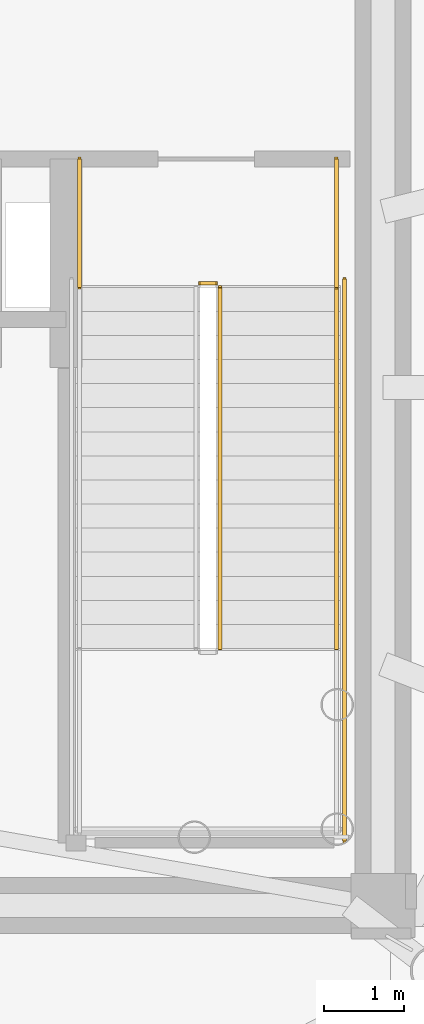
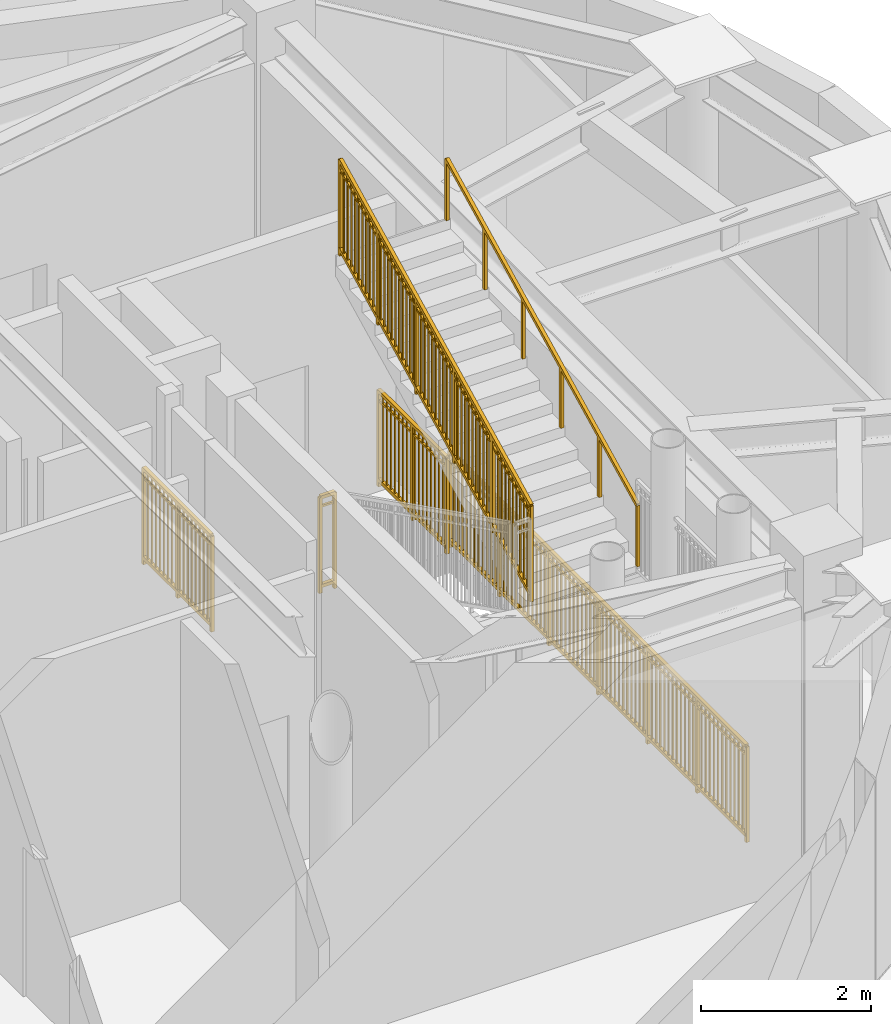
# One storey, part 11 of 12: 6 railings.
"""IFC4 building model written with IfcOpenShell, lengths in metres."""

from ifc_helpers import new_model, si_unit, direction, frame, origin, origin_2d, place, context, subcontext, project, spatial, rectangle, extrude, source, transform, mapped, material, type_object, element, save


model = new_model("IFC4")

# Units and contexts
model_context = context("Model", 3, precision=1e-05, world=origin(), true_north=direction((0.0, 1.0)))
body_context = subcontext(model_context, "Body", "Model", "MODEL_VIEW")
ifc_project = project(units=[si_unit("LENGTHUNIT", "METRE"), si_unit("AREAUNIT", "SQUARE_METRE"), si_unit("VOLUMEUNIT", "CUBIC_METRE"), si_unit("PLANEANGLEUNIT", "RADIAN"), si_unit("MASSUNIT", "GRAM", prefix="KILO")], contexts=[model_context])

# Site, building, storey
site_placement = place(None, origin())
site = spatial("IfcSite", under=ifc_project, at=site_placement, CompositionType="ELEMENT")
building_placement = place(site_placement, origin())
building = spatial("IfcBuilding", under=site, at=building_placement, Name="Linh Dai School and Residence Tower", CompositionType="ELEMENT")
storey_placement = place(building_placement, frame((0.0, 0.0, 368.39990234375)))
storey = spatial("IfcBuildingStorey", under=building, at=storey_placement, Name="L91", CompositionType="ELEMENT", Elevation=368.39990234375)

# Railings
ifc_material_1 = material(Name="Structural Steel S355JR", Category="steel")
railing_type_1 = type_object("IfcRailingType", Name="RL-ST-GUARD-1400", PredefinedType="GUARDRAIL", material=ifc_material_1)
shared_shape_1 = source(origin(), body_context, "Body", "SweptSolid", [
    extrude(rectangle(XDim=0.048095703125, YDim=0.048095703125, at=origin_2d()), frame((0.0, 0.0, 1.3759765625), z_axis=(0.0, 0.894427191, 0.4472135955), x_axis=(-1.0, 0.0, 0.0)), (0.0, 0.0, 1.0), 5.03125),
    extrude(rectangle(XDim=0.048095703125, YDim=0.048095703125, at=origin_2d()), frame((0.0, 0.0, 0.10009765625), z_axis=(0.0, 0.894427191, 0.4472135955), x_axis=(-1.0, 0.0, 0.0)), (0.0, 0.0, 1.0), 5.03125),
    extrude(rectangle(XDim=0.030029296875, YDim=0.030029296875, at=origin_2d()), frame((0.0, 0.0, 1.239990234375), z_axis=(0.0, 0.894427191, 0.4472135955), x_axis=(-1.0, 0.0, 0.0)), (0.0, 0.0, 1.0), 5.03125),
    extrude(rectangle(XDim=0.02001953125, YDim=0.02001953125, at=origin_2d()), frame((0.0, 0.08642578125, 0.143310546875)), (0.0, 0.0, 1.0), 1.251708984375),
    extrude(rectangle(XDim=0.02001953125, YDim=0.02001953125, at=origin_2d()), frame((0.0, 0.173095703125, 0.1865234375)), (0.0, 0.0, 1.0), 1.251708984375),
    extrude(rectangle(XDim=0.02001953125, YDim=0.02001953125, at=origin_2d()), frame((0.0, 0.259521484375, 0.22998046875)), (0.0, 0.0, 1.0), 1.251708984375),
    extrude(rectangle(XDim=0.02001953125, YDim=0.02001953125, at=origin_2d()), frame((0.0, 0.34619140625, 0.273193359375)), (0.0, 0.0, 1.0), 1.251708984375),
    extrude(rectangle(XDim=0.02001953125, YDim=0.02001953125, at=origin_2d()), frame((0.0, 0.4326171875, 0.31640625)), (0.0, 0.0, 1.0), 1.251708984375),
    extrude(rectangle(XDim=0.02001953125, YDim=0.02001953125, at=origin_2d()), frame((0.0, 0.519287109375, 0.359619140625)), (0.0, 0.0, 1.0), 1.251708984375),
    extrude(rectangle(XDim=0.02001953125, YDim=0.02001953125, at=origin_2d()), frame((0.0, 0.605712890625, 0.403076171875)), (0.0, 0.0, 1.0), 1.251708984375),
    extrude(rectangle(XDim=0.02001953125, YDim=0.02001953125, at=origin_2d()), frame((0.0, 0.6923828125, 0.4462890625)), (0.0, 0.0, 1.0), 1.251708984375),
    extrude(rectangle(XDim=0.02001953125, YDim=0.02001953125, at=origin_2d()), frame((0.0, 0.77880859375, 0.489501953125)), (0.0, 0.0, 1.0), 1.251708984375),
    extrude(rectangle(XDim=0.02001953125, YDim=0.02001953125, at=origin_2d()), frame((0.0, 0.951904296875, 0.576171875)), (0.0, 0.0, 1.0), 1.251708984375),
    extrude(rectangle(XDim=0.02001953125, YDim=0.02001953125, at=origin_2d()), frame((0.0, 1.03857421875, 0.619384765625)), (0.0, 0.0, 1.0), 1.251708984375),
    extrude(rectangle(XDim=0.02001953125, YDim=0.02001953125, at=origin_2d()), frame((0.0, 1.125, 0.66259765625)), (0.0, 0.0, 1.0), 1.251708984375),
    extrude(rectangle(XDim=0.02001953125, YDim=0.02001953125, at=origin_2d()), frame((0.0, 1.21142578125, 0.705810546875)), (0.0, 0.0, 1.0), 1.251708984375),
    extrude(rectangle(XDim=0.02001953125, YDim=0.02001953125, at=origin_2d()), frame((0.0, 1.298095703125, 0.7490234375)), (0.0, 0.0, 1.0), 1.251708984375),
    extrude(rectangle(XDim=0.02001953125, YDim=0.02001953125, at=origin_2d()), frame((0.0, 1.384521484375, 0.79248046875)), (0.0, 0.0, 1.0), 1.251708984375),
    extrude(rectangle(XDim=0.02001953125, YDim=0.02001953125, at=origin_2d()), frame((0.0, 1.47119140625, 0.835693359375)), (0.0, 0.0, 1.0), 1.251708984375),
    extrude(rectangle(XDim=0.02001953125, YDim=0.02001953125, at=origin_2d()), frame((0.0, 1.5576171875, 0.87890625)), (0.0, 0.0, 1.0), 1.251708984375),
    extrude(rectangle(XDim=0.02001953125, YDim=0.02001953125, at=origin_2d()), frame((0.0, 1.644287109375, 0.922119140625)), (0.0, 0.0, 1.0), 1.251708984375),
    extrude(rectangle(XDim=0.02001953125, YDim=0.02001953125, at=origin_2d()), frame((0.0, 1.730712890625, 0.965576171875)), (0.0, 0.0, 1.0), 1.251708984375),
    extrude(rectangle(XDim=0.02001953125, YDim=0.02001953125, at=origin_2d()), frame((0.0, 1.90380859375, 1.052001953125)), (0.0, 0.0, 1.0), 1.251708984375),
    extrude(rectangle(XDim=0.02001953125, YDim=0.02001953125, at=origin_2d()), frame((0.0, 1.990478515625, 1.09521484375)), (0.0, 0.0, 1.0), 1.251708984375),
    extrude(rectangle(XDim=0.02001953125, YDim=0.02001953125, at=origin_2d()), frame((0.0, 2.076904296875, 1.138671875)), (0.0, 0.0, 1.0), 1.251708984375),
    extrude(rectangle(XDim=0.02001953125, YDim=0.02001953125, at=origin_2d()), frame((0.0, 2.16357421875, 1.181884765625)), (0.0, 0.0, 1.0), 1.251708984375),
    extrude(rectangle(XDim=0.02001953125, YDim=0.02001953125, at=origin_2d()), frame((0.0, 2.25, 1.22509765625)), (0.0, 0.0, 1.0), 1.251708984375),
    extrude(rectangle(XDim=0.02001953125, YDim=0.02001953125, at=origin_2d()), frame((0.0, 2.33642578125, 1.268310546875)), (0.0, 0.0, 1.0), 1.251708984375),
    extrude(rectangle(XDim=0.02001953125, YDim=0.02001953125, at=origin_2d()), frame((0.0, 2.423095703125, 1.3115234375)), (0.0, 0.0, 1.0), 1.251708984375),
    extrude(rectangle(XDim=0.02001953125, YDim=0.02001953125, at=origin_2d()), frame((0.0, 2.509521484375, 1.35498046875)), (0.0, 0.0, 1.0), 1.251708984375),
    extrude(rectangle(XDim=0.02001953125, YDim=0.02001953125, at=origin_2d()), frame((0.0, 2.59619140625, 1.398193359375)), (0.0, 0.0, 1.0), 1.251708984375),
    extrude(rectangle(XDim=0.02001953125, YDim=0.02001953125, at=origin_2d()), frame((0.0, 2.769287109375, 1.484619140625)), (0.0, 0.0, 1.0), 1.251708984375),
    extrude(rectangle(XDim=0.02001953125, YDim=0.02001953125, at=origin_2d()), frame((0.0, 2.855712890625, 1.528076171875)), (0.0, 0.0, 1.0), 1.251708984375),
    extrude(rectangle(XDim=0.02001953125, YDim=0.02001953125, at=origin_2d()), frame((0.0, 2.9423828125, 1.5712890625)), (0.0, 0.0, 1.0), 1.251708984375),
    extrude(rectangle(XDim=0.02001953125, YDim=0.02001953125, at=origin_2d()), frame((0.0, 3.02880859375, 1.614501953125)), (0.0, 0.0, 1.0), 1.251708984375),
    extrude(rectangle(XDim=0.02001953125, YDim=0.02001953125, at=origin_2d()), frame((0.0, 3.115478515625, 1.65771484375)), (0.0, 0.0, 1.0), 1.251708984375),
    extrude(rectangle(XDim=0.02001953125, YDim=0.02001953125, at=origin_2d()), frame((0.0, 3.201904296875, 1.701171875)), (0.0, 0.0, 1.0), 1.251708984375),
    extrude(rectangle(XDim=0.02001953125, YDim=0.02001953125, at=origin_2d()), frame((0.0, 3.28857421875, 1.744384765625)), (0.0, 0.0, 1.0), 1.251708984375),
    extrude(rectangle(XDim=0.02001953125, YDim=0.02001953125, at=origin_2d()), frame((0.0, 3.375, 1.78759765625)), (0.0, 0.0, 1.0), 1.251708984375),
    extrude(rectangle(XDim=0.02001953125, YDim=0.02001953125, at=origin_2d()), frame((0.0, 3.46142578125, 1.830810546875)), (0.0, 0.0, 1.0), 1.251708984375),
    extrude(rectangle(XDim=0.02001953125, YDim=0.02001953125, at=origin_2d()), frame((0.0, 3.548095703125, 1.8740234375)), (0.0, 0.0, 1.0), 1.251708984375),
    extrude(rectangle(XDim=0.02001953125, YDim=0.02001953125, at=origin_2d()), frame((0.0, 3.72119140625, 1.960693359375)), (0.0, 0.0, 1.0), 1.251708984375),
    extrude(rectangle(XDim=0.02001953125, YDim=0.02001953125, at=origin_2d()), frame((0.0, 3.8076171875, 2.00390625)), (0.0, 0.0, 1.0), 1.251708984375),
    extrude(rectangle(XDim=0.02001953125, YDim=0.02001953125, at=origin_2d()), frame((0.0, 3.894287109375, 2.047119140625)), (0.0, 0.0, 1.0), 1.251708984375),
    extrude(rectangle(XDim=0.02001953125, YDim=0.02001953125, at=origin_2d()), frame((0.0, 3.980712890625, 2.090576171875)), (0.0, 0.0, 1.0), 1.251708984375),
    extrude(rectangle(XDim=0.02001953125, YDim=0.02001953125, at=origin_2d()), frame((0.0, 4.0673828125, 2.1337890625)), (0.0, 0.0, 1.0), 1.251708984375),
    extrude(rectangle(XDim=0.02001953125, YDim=0.02001953125, at=origin_2d()), frame((0.0, 4.15380859375, 2.177001953125)), (0.0, 0.0, 1.0), 1.251708984375),
    extrude(rectangle(XDim=0.02001953125, YDim=0.02001953125, at=origin_2d()), frame((0.0, 4.240478515625, 2.22021484375)), (0.0, 0.0, 1.0), 1.251708984375),
    extrude(rectangle(XDim=0.02001953125, YDim=0.02001953125, at=origin_2d()), frame((0.0, 4.326904296875, 2.263671875)), (0.0, 0.0, 1.0), 1.251708984375),
    extrude(rectangle(XDim=0.02001953125, YDim=0.02001953125, at=origin_2d()), frame((0.0, 4.41357421875, 2.306884765625)), (0.0, 0.0, 1.0), 1.251708984375),
    extrude(rectangle(XDim=0.0419921875, YDim=0.0419921875, at=origin_2d()), origin(), (0.0, 0.0, 1.0), 1.3759765625),
    extrude(rectangle(XDim=0.0419921875, YDim=0.0419921875, at=origin_2d()), frame((0.0, 0.89990234375, 0.449951171875)), (0.0, 0.0, 1.0), 1.3759765625),
    extrude(rectangle(XDim=0.0419921875, YDim=0.0419921875, at=origin_2d()), frame((0.0, 1.800048828125, 0.89990234375)), (0.0, 0.0, 1.0), 1.3759765625),
    extrude(rectangle(XDim=0.0419921875, YDim=0.0419921875, at=origin_2d()), frame((0.0, 2.699951171875, 1.35009765625)), (0.0, 0.0, 1.0), 1.3759765625),
    extrude(rectangle(XDim=0.0419921875, YDim=0.0419921875, at=origin_2d()), frame((0.0, 3.60009765625, 1.800048828125)), (0.0, 0.0, 1.0), 1.3759765625),
    extrude(rectangle(XDim=0.0419921875, YDim=0.0419921875, at=origin_2d()), frame((0.0, 4.5, 2.25)), (0.0, 0.0, 1.0), 1.3759765625),
])
railing_1_placement = place(storey_placement, frame((42.820068359375, 23.75, 2.550048828125)))
element("IfcRailing", 1, at=railing_1_placement, inside=storey, type_object=railing_type_1, Name="L91 ST2 stair guard 6", PredefinedType="GUARDRAIL", context=body_context, shape_type="MappedRepresentation", body=[
    mapped(shared_shape_1, transform((0.0, 0.0, 0.0), x_axis=(1.0, 0.0, 0.0), y_axis=(0.0, 1.0, 0.0), z_axis=(0.0, 0.0, 1.0), scale=1.0)),
])
ifc_material_2 = material(Name="Brushed Stainless Steel Handrail", Category="steel")
railing_type_2 = type_object("IfcRailingType", Name="RL-ST-HANDRAIL-900", PredefinedType="HANDRAIL", material=ifc_material_2)
shared_shape_2 = source(origin(), body_context, "Body", "SweptSolid", [
    extrude(rectangle(XDim=0.048095703125, YDim=0.048095703125, at=origin_2d()), frame((0.0, 0.0, 0.8759765625), z_axis=(0.0, 0.894427191, 0.4472135955), x_axis=(-1.0, 0.0, 0.0)), (0.0, 0.0, 1.0), 5.03125),
    extrude(rectangle(XDim=0.0419921875, YDim=0.0419921875, at=origin_2d()), origin(), (0.0, 0.0, 1.0), 0.8759765625),
    extrude(rectangle(XDim=0.0419921875, YDim=0.0419921875, at=origin_2d()), frame((0.0, 0.89990234375, 0.449951171875)), (0.0, 0.0, 1.0), 0.8759765625),
    extrude(rectangle(XDim=0.0419921875, YDim=0.0419921875, at=origin_2d()), frame((0.0, 1.800048828125, 0.89990234375)), (0.0, 0.0, 1.0), 0.8759765625),
    extrude(rectangle(XDim=0.0419921875, YDim=0.0419921875, at=origin_2d()), frame((0.0, 2.699951171875, 1.35009765625)), (0.0, 0.0, 1.0), 0.8759765625),
    extrude(rectangle(XDim=0.0419921875, YDim=0.0419921875, at=origin_2d()), frame((0.0, 3.60009765625, 1.800048828125)), (0.0, 0.0, 1.0), 0.8759765625),
    extrude(rectangle(XDim=0.0419921875, YDim=0.0419921875, at=origin_2d()), frame((0.0, 4.5, 2.25)), (0.0, 0.0, 1.0), 0.8759765625),
])
railing_2_placement = place(storey_placement, frame((44.27001953125, 23.75, 2.550048828125)))
element("IfcRailing", 2, at=railing_2_placement, inside=storey, type_object=railing_type_2, Name="L91 ST2 stair handrail 2", PredefinedType="HANDRAIL", context=body_context, shape_type="MappedRepresentation", body=[
    mapped(shared_shape_2, transform((0.0, 0.0, 0.0), x_axis=(1.0, 0.0, 0.0), y_axis=(0.0, 1.0, 0.0), z_axis=(0.0, 0.0, 1.0), scale=1.0)),
])
shared_shape_3 = source(origin(), body_context, "Body", "SweptSolid", [
    extrude(rectangle(XDim=0.048095703125, YDim=0.048095703125, at=origin_2d()), frame((0.0, 0.0, 1.3759765625), z_axis=(1.0, 0.0, 0.0), x_axis=(0.0, 1.0, 0.0)), (0.0, 0.0, 1.0), 0.199951171875),
    extrude(rectangle(XDim=0.048095703125, YDim=0.048095703125, at=origin_2d()), frame((0.0, 0.0, 0.10009765625), z_axis=(1.0, 0.0, 0.0), x_axis=(0.0, 1.0, 0.0)), (0.0, 0.0, 1.0), 0.199951171875),
    extrude(rectangle(XDim=0.030029296875, YDim=0.030029296875, at=origin_2d()), frame((0.0, 0.0, 1.239990234375), z_axis=(1.0, 0.0, 0.0), x_axis=(0.0, 1.0, 0.0)), (0.0, 0.0, 1.0), 0.199951171875),
    extrude(rectangle(XDim=0.0419921875, YDim=0.0419921875, at=origin_2d()), origin(), (0.0, 0.0, 1.0), 1.3759765625),
    extrude(rectangle(XDim=0.0419921875, YDim=0.0419921875, at=origin_2d()), frame((0.199951171875, 0.0, 0.0)), (0.0, 0.0, 1.0), 1.3759765625),
])
railing_3_placement = place(storey_placement, frame((42.570068359375, 28.300048828125, 0.0)))
element("IfcRailing", 3, at=railing_3_placement, inside=storey, type_object=railing_type_1, Name="L91 ST2 stair guard 7", PredefinedType="GUARDRAIL", context=body_context, shape_type="MappedRepresentation", body=[
    mapped(shared_shape_3, transform((0.0, 0.0, 0.0), x_axis=(1.0, 0.0, 0.0), y_axis=(0.0, 1.0, 0.0), z_axis=(0.0, 0.0, 1.0), scale=1.0)),
])
shared_shape_4 = source(origin(), body_context, "Body", "SweptSolid", [
    extrude(rectangle(XDim=0.048095703125, YDim=0.048095703125, at=origin_2d()), frame((0.0, 0.0, 1.3759765625), z_axis=(0.0, -1.0, 0.0), x_axis=(1.0, 0.0, 0.0)), (0.0, 0.0, 1.0), 1.60009765625),
    extrude(rectangle(XDim=0.048095703125, YDim=0.048095703125, at=origin_2d()), frame((0.0, 0.0, 0.10009765625), z_axis=(0.0, -1.0, 0.0), x_axis=(1.0, 0.0, 0.0)), (0.0, 0.0, 1.0), 1.60009765625),
    extrude(rectangle(XDim=0.030029296875, YDim=0.030029296875, at=origin_2d()), frame((0.0, 0.0, 1.239990234375), z_axis=(0.0, -1.0, 0.0), x_axis=(1.0, 0.0, 0.0)), (0.0, 0.0, 1.0), 1.60009765625),
    extrude(rectangle(XDim=0.02001953125, YDim=0.02001953125, at=origin_2d()), frame((0.0, -0.09423828125, 0.10009765625)), (0.0, 0.0, 1.0), 1.251708984375),
    extrude(rectangle(XDim=0.02001953125, YDim=0.02001953125, at=origin_2d()), frame((0.0, -0.188232421875, 0.10009765625)), (0.0, 0.0, 1.0), 1.251708984375),
    extrude(rectangle(XDim=0.02001953125, YDim=0.02001953125, at=origin_2d()), frame((0.0, -0.282470703125, 0.10009765625)), (0.0, 0.0, 1.0), 1.251708984375),
    extrude(rectangle(XDim=0.02001953125, YDim=0.02001953125, at=origin_2d()), frame((0.0, -0.37646484375, 0.10009765625)), (0.0, 0.0, 1.0), 1.251708984375),
    extrude(rectangle(XDim=0.02001953125, YDim=0.02001953125, at=origin_2d()), frame((0.0, -0.470703125, 0.10009765625)), (0.0, 0.0, 1.0), 1.251708984375),
    extrude(rectangle(XDim=0.02001953125, YDim=0.02001953125, at=origin_2d()), frame((0.0, -0.564697265625, 0.10009765625)), (0.0, 0.0, 1.0), 1.251708984375),
    extrude(rectangle(XDim=0.02001953125, YDim=0.02001953125, at=origin_2d()), frame((0.0, -0.658935546875, 0.10009765625)), (0.0, 0.0, 1.0), 1.251708984375),
    extrude(rectangle(XDim=0.02001953125, YDim=0.02001953125, at=origin_2d()), frame((0.0, -0.7529296875, 0.10009765625)), (0.0, 0.0, 1.0), 1.251708984375),
    extrude(rectangle(XDim=0.02001953125, YDim=0.02001953125, at=origin_2d()), frame((0.0, -0.84716796875, 0.10009765625)), (0.0, 0.0, 1.0), 1.251708984375),
    extrude(rectangle(XDim=0.02001953125, YDim=0.02001953125, at=origin_2d()), frame((0.0, -0.941162109375, 0.10009765625)), (0.0, 0.0, 1.0), 1.251708984375),
    extrude(rectangle(XDim=0.02001953125, YDim=0.02001953125, at=origin_2d()), frame((0.0, -1.035400390625, 0.10009765625)), (0.0, 0.0, 1.0), 1.251708984375),
    extrude(rectangle(XDim=0.02001953125, YDim=0.02001953125, at=origin_2d()), frame((0.0, -1.12939453125, 0.10009765625)), (0.0, 0.0, 1.0), 1.251708984375),
    extrude(rectangle(XDim=0.02001953125, YDim=0.02001953125, at=origin_2d()), frame((0.0, -1.2236328125, 0.10009765625)), (0.0, 0.0, 1.0), 1.251708984375),
    extrude(rectangle(XDim=0.02001953125, YDim=0.02001953125, at=origin_2d()), frame((0.0, -1.317626953125, 0.10009765625)), (0.0, 0.0, 1.0), 1.251708984375),
    extrude(rectangle(XDim=0.02001953125, YDim=0.02001953125, at=origin_2d()), frame((0.0, -1.411865234375, 0.10009765625)), (0.0, 0.0, 1.0), 1.251708984375),
    extrude(rectangle(XDim=0.02001953125, YDim=0.02001953125, at=origin_2d()), frame((0.0, -1.505859375, 0.10009765625)), (0.0, 0.0, 1.0), 1.251708984375),
    extrude(rectangle(XDim=0.0419921875, YDim=0.0419921875, at=origin_2d()), origin(), (0.0, 0.0, 1.0), 1.3759765625),
    extrude(rectangle(XDim=0.0419921875, YDim=0.0419921875, at=origin_2d()), frame((0.0, -0.800048828125, 0.0)), (0.0, 0.0, 1.0), 1.3759765625),
    extrude(rectangle(XDim=0.0419921875, YDim=0.0419921875, at=origin_2d()), frame((0.0, -1.60009765625, 0.0)), (0.0, 0.0, 1.0), 1.3759765625),
])
for number, where, name in (
    (4, (41.070068359375, 29.85009765625, 0.0), "L91 ST2 stair guard 8"),
    (5, (44.27001953125, 29.85009765625, 0.0), "L91 ST2 stair guard 9"),
):
    element("IfcRailing", number, at=place(storey_placement, frame(where)), inside=storey, type_object=railing_type_1, Name=name, PredefinedType="GUARDRAIL", context=body_context, shape_type="MappedRepresentation", body=[
        mapped(shared_shape_4, transform((0.0, 0.0, 0.0), x_axis=(1.0, 0.0, 0.0), y_axis=(0.0, 1.0, 0.0), z_axis=(0.0, 0.0, 1.0), scale=1.0)),
    ])
shared_shape_5 = source(origin(), body_context, "Body", "SweptSolid", [
    extrude(rectangle(XDim=0.048095703125, YDim=0.048095703125, at=origin_2d()), frame((0.0, 0.0, 1.3759765625), z_axis=(0.0, -1.0, 0.0), x_axis=(1.0, 0.0, 0.0)), (0.0, 0.0, 1.0), 7.0),
    extrude(rectangle(XDim=0.048095703125, YDim=0.048095703125, at=origin_2d()), frame((0.0, 0.0, 0.10009765625), z_axis=(0.0, -1.0, 0.0), x_axis=(1.0, 0.0, 0.0)), (0.0, 0.0, 1.0), 7.0),
    extrude(rectangle(XDim=0.030029296875, YDim=0.030029296875, at=origin_2d()), frame((0.0, 0.0, 1.239990234375), z_axis=(0.0, -1.0, 0.0), x_axis=(1.0, 0.0, 0.0)), (0.0, 0.0, 1.0), 7.0),
    extrude(rectangle(XDim=0.02001953125, YDim=0.02001953125, at=origin_2d()), frame((0.0, -0.09716796875, 0.10009765625)), (0.0, 0.0, 1.0), 1.251708984375),
    extrude(rectangle(XDim=0.02001953125, YDim=0.02001953125, at=origin_2d()), frame((0.0, -0.1943359375, 0.10009765625)), (0.0, 0.0, 1.0), 1.251708984375),
    extrude(rectangle(XDim=0.02001953125, YDim=0.02001953125, at=origin_2d()), frame((0.0, -0.291748046875, 0.10009765625)), (0.0, 0.0, 1.0), 1.251708984375),
    extrude(rectangle(XDim=0.02001953125, YDim=0.02001953125, at=origin_2d()), frame((0.0, -0.388916015625, 0.10009765625)), (0.0, 0.0, 1.0), 1.251708984375),
    extrude(rectangle(XDim=0.02001953125, YDim=0.02001953125, at=origin_2d()), frame((0.0, -0.486083984375, 0.10009765625)), (0.0, 0.0, 1.0), 1.251708984375),
    extrude(rectangle(XDim=0.02001953125, YDim=0.02001953125, at=origin_2d()), frame((0.0, -0.583251953125, 0.10009765625)), (0.0, 0.0, 1.0), 1.251708984375),
    extrude(rectangle(XDim=0.02001953125, YDim=0.02001953125, at=origin_2d()), frame((0.0, -0.6806640625, 0.10009765625)), (0.0, 0.0, 1.0), 1.251708984375),
    extrude(rectangle(XDim=0.02001953125, YDim=0.02001953125, at=origin_2d()), frame((0.0, -0.77783203125, 0.10009765625)), (0.0, 0.0, 1.0), 1.251708984375),
    extrude(rectangle(XDim=0.02001953125, YDim=0.02001953125, at=origin_2d()), frame((0.0, -0.875, 0.10009765625)), (0.0, 0.0, 1.0), 1.251708984375),
    extrude(rectangle(XDim=0.02001953125, YDim=0.02001953125, at=origin_2d()), frame((0.0, -0.97216796875, 0.10009765625)), (0.0, 0.0, 1.0), 1.251708984375),
    extrude(rectangle(XDim=0.02001953125, YDim=0.02001953125, at=origin_2d()), frame((0.0, -1.0693359375, 0.10009765625)), (0.0, 0.0, 1.0), 1.251708984375),
    extrude(rectangle(XDim=0.02001953125, YDim=0.02001953125, at=origin_2d()), frame((0.0, -1.263916015625, 0.10009765625)), (0.0, 0.0, 1.0), 1.251708984375),
    extrude(rectangle(XDim=0.02001953125, YDim=0.02001953125, at=origin_2d()), frame((0.0, -1.361083984375, 0.10009765625)), (0.0, 0.0, 1.0), 1.251708984375),
    extrude(rectangle(XDim=0.02001953125, YDim=0.02001953125, at=origin_2d()), frame((0.0, -1.458251953125, 0.10009765625)), (0.0, 0.0, 1.0), 1.251708984375),
    extrude(rectangle(XDim=0.02001953125, YDim=0.02001953125, at=origin_2d()), frame((0.0, -1.5556640625, 0.10009765625)), (0.0, 0.0, 1.0), 1.251708984375),
    extrude(rectangle(XDim=0.02001953125, YDim=0.02001953125, at=origin_2d()), frame((0.0, -1.65283203125, 0.10009765625)), (0.0, 0.0, 1.0), 1.251708984375),
    extrude(rectangle(XDim=0.02001953125, YDim=0.02001953125, at=origin_2d()), frame((0.0, -1.75, 0.10009765625)), (0.0, 0.0, 1.0), 1.251708984375),
    extrude(rectangle(XDim=0.02001953125, YDim=0.02001953125, at=origin_2d()), frame((0.0, -1.84716796875, 0.10009765625)), (0.0, 0.0, 1.0), 1.251708984375),
    extrude(rectangle(XDim=0.02001953125, YDim=0.02001953125, at=origin_2d()), frame((0.0, -1.9443359375, 0.10009765625)), (0.0, 0.0, 1.0), 1.251708984375),
    extrude(rectangle(XDim=0.02001953125, YDim=0.02001953125, at=origin_2d()), frame((0.0, -2.041748046875, 0.10009765625)), (0.0, 0.0, 1.0), 1.251708984375),
    extrude(rectangle(XDim=0.02001953125, YDim=0.02001953125, at=origin_2d()), frame((0.0, -2.138916015625, 0.10009765625)), (0.0, 0.0, 1.0), 1.251708984375),
    extrude(rectangle(XDim=0.02001953125, YDim=0.02001953125, at=origin_2d()), frame((0.0, -2.236083984375, 0.10009765625)), (0.0, 0.0, 1.0), 1.251708984375),
    extrude(rectangle(XDim=0.02001953125, YDim=0.02001953125, at=origin_2d()), frame((0.0, -2.4306640625, 0.10009765625)), (0.0, 0.0, 1.0), 1.251708984375),
    extrude(rectangle(XDim=0.02001953125, YDim=0.02001953125, at=origin_2d()), frame((0.0, -2.52783203125, 0.10009765625)), (0.0, 0.0, 1.0), 1.251708984375),
    extrude(rectangle(XDim=0.02001953125, YDim=0.02001953125, at=origin_2d()), frame((0.0, -2.625, 0.10009765625)), (0.0, 0.0, 1.0), 1.251708984375),
    extrude(rectangle(XDim=0.02001953125, YDim=0.02001953125, at=origin_2d()), frame((0.0, -2.72216796875, 0.10009765625)), (0.0, 0.0, 1.0), 1.251708984375),
    extrude(rectangle(XDim=0.02001953125, YDim=0.02001953125, at=origin_2d()), frame((0.0, -2.8193359375, 0.10009765625)), (0.0, 0.0, 1.0), 1.251708984375),
    extrude(rectangle(XDim=0.02001953125, YDim=0.02001953125, at=origin_2d()), frame((0.0, -2.916748046875, 0.10009765625)), (0.0, 0.0, 1.0), 1.251708984375),
    extrude(rectangle(XDim=0.02001953125, YDim=0.02001953125, at=origin_2d()), frame((0.0, -3.013916015625, 0.10009765625)), (0.0, 0.0, 1.0), 1.251708984375),
    extrude(rectangle(XDim=0.02001953125, YDim=0.02001953125, at=origin_2d()), frame((0.0, -3.111083984375, 0.10009765625)), (0.0, 0.0, 1.0), 1.251708984375),
    extrude(rectangle(XDim=0.02001953125, YDim=0.02001953125, at=origin_2d()), frame((0.0, -3.208251953125, 0.10009765625)), (0.0, 0.0, 1.0), 1.251708984375),
    extrude(rectangle(XDim=0.02001953125, YDim=0.02001953125, at=origin_2d()), frame((0.0, -3.3056640625, 0.10009765625)), (0.0, 0.0, 1.0), 1.251708984375),
    extrude(rectangle(XDim=0.02001953125, YDim=0.02001953125, at=origin_2d()), frame((0.0, -3.40283203125, 0.10009765625)), (0.0, 0.0, 1.0), 1.251708984375),
    extrude(rectangle(XDim=0.02001953125, YDim=0.02001953125, at=origin_2d()), frame((0.0, -3.59716796875, 0.10009765625)), (0.0, 0.0, 1.0), 1.251708984375),
    extrude(rectangle(XDim=0.02001953125, YDim=0.02001953125, at=origin_2d()), frame((0.0, -3.6943359375, 0.10009765625)), (0.0, 0.0, 1.0), 1.251708984375),
    extrude(rectangle(XDim=0.02001953125, YDim=0.02001953125, at=origin_2d()), frame((0.0, -3.791748046875, 0.10009765625)), (0.0, 0.0, 1.0), 1.251708984375),
    extrude(rectangle(XDim=0.02001953125, YDim=0.02001953125, at=origin_2d()), frame((0.0, -3.888916015625, 0.10009765625)), (0.0, 0.0, 1.0), 1.251708984375),
    extrude(rectangle(XDim=0.02001953125, YDim=0.02001953125, at=origin_2d()), frame((0.0, -3.986083984375, 0.10009765625)), (0.0, 0.0, 1.0), 1.251708984375),
    extrude(rectangle(XDim=0.02001953125, YDim=0.02001953125, at=origin_2d()), frame((0.0, -4.083251953125, 0.10009765625)), (0.0, 0.0, 1.0), 1.251708984375),
    extrude(rectangle(XDim=0.02001953125, YDim=0.02001953125, at=origin_2d()), frame((0.0, -4.1806640625, 0.10009765625)), (0.0, 0.0, 1.0), 1.251708984375),
    extrude(rectangle(XDim=0.02001953125, YDim=0.02001953125, at=origin_2d()), frame((0.0, -4.27783203125, 0.10009765625)), (0.0, 0.0, 1.0), 1.251708984375),
    extrude(rectangle(XDim=0.02001953125, YDim=0.02001953125, at=origin_2d()), frame((0.0, -4.375, 0.10009765625)), (0.0, 0.0, 1.0), 1.251708984375),
    extrude(rectangle(XDim=0.02001953125, YDim=0.02001953125, at=origin_2d()), frame((0.0, -4.47216796875, 0.10009765625)), (0.0, 0.0, 1.0), 1.251708984375),
    extrude(rectangle(XDim=0.02001953125, YDim=0.02001953125, at=origin_2d()), frame((0.0, -4.5693359375, 0.10009765625)), (0.0, 0.0, 1.0), 1.251708984375),
    extrude(rectangle(XDim=0.02001953125, YDim=0.02001953125, at=origin_2d()), frame((0.0, -4.763916015625, 0.10009765625)), (0.0, 0.0, 1.0), 1.251708984375),
    extrude(rectangle(XDim=0.02001953125, YDim=0.02001953125, at=origin_2d()), frame((0.0, -4.861083984375, 0.10009765625)), (0.0, 0.0, 1.0), 1.251708984375),
    extrude(rectangle(XDim=0.02001953125, YDim=0.02001953125, at=origin_2d()), frame((0.0, -4.958251953125, 0.10009765625)), (0.0, 0.0, 1.0), 1.251708984375),
    extrude(rectangle(XDim=0.02001953125, YDim=0.02001953125, at=origin_2d()), frame((0.0, -5.0556640625, 0.10009765625)), (0.0, 0.0, 1.0), 1.251708984375),
    extrude(rectangle(XDim=0.02001953125, YDim=0.02001953125, at=origin_2d()), frame((0.0, -5.15283203125, 0.10009765625)), (0.0, 0.0, 1.0), 1.251708984375),
    extrude(rectangle(XDim=0.02001953125, YDim=0.02001953125, at=origin_2d()), frame((0.0, -5.25, 0.10009765625)), (0.0, 0.0, 1.0), 1.251708984375),
    extrude(rectangle(XDim=0.02001953125, YDim=0.02001953125, at=origin_2d()), frame((0.0, -5.34716796875, 0.10009765625)), (0.0, 0.0, 1.0), 1.251708984375),
    extrude(rectangle(XDim=0.02001953125, YDim=0.02001953125, at=origin_2d()), frame((0.0, -5.4443359375, 0.10009765625)), (0.0, 0.0, 1.0), 1.251708984375),
    extrude(rectangle(XDim=0.02001953125, YDim=0.02001953125, at=origin_2d()), frame((0.0, -5.541748046875, 0.10009765625)), (0.0, 0.0, 1.0), 1.251708984375),
    extrude(rectangle(XDim=0.02001953125, YDim=0.02001953125, at=origin_2d()), frame((0.0, -5.638916015625, 0.10009765625)), (0.0, 0.0, 1.0), 1.251708984375),
    extrude(rectangle(XDim=0.02001953125, YDim=0.02001953125, at=origin_2d()), frame((0.0, -5.736083984375, 0.10009765625)), (0.0, 0.0, 1.0), 1.251708984375),
    extrude(rectangle(XDim=0.02001953125, YDim=0.02001953125, at=origin_2d()), frame((0.0, -5.9306640625, 0.10009765625)), (0.0, 0.0, 1.0), 1.251708984375),
    extrude(rectangle(XDim=0.02001953125, YDim=0.02001953125, at=origin_2d()), frame((0.0, -6.02783203125, 0.10009765625)), (0.0, 0.0, 1.0), 1.251708984375),
    extrude(rectangle(XDim=0.02001953125, YDim=0.02001953125, at=origin_2d()), frame((0.0, -6.125, 0.10009765625)), (0.0, 0.0, 1.0), 1.251708984375),
    extrude(rectangle(XDim=0.02001953125, YDim=0.02001953125, at=origin_2d()), frame((0.0, -6.22216796875, 0.10009765625)), (0.0, 0.0, 1.0), 1.251708984375),
    extrude(rectangle(XDim=0.02001953125, YDim=0.02001953125, at=origin_2d()), frame((0.0, -6.3193359375, 0.10009765625)), (0.0, 0.0, 1.0), 1.251708984375),
    extrude(rectangle(XDim=0.02001953125, YDim=0.02001953125, at=origin_2d()), frame((0.0, -6.416748046875, 0.10009765625)), (0.0, 0.0, 1.0), 1.251708984375),
    extrude(rectangle(XDim=0.02001953125, YDim=0.02001953125, at=origin_2d()), frame((0.0, -6.513916015625, 0.10009765625)), (0.0, 0.0, 1.0), 1.251708984375),
    extrude(rectangle(XDim=0.02001953125, YDim=0.02001953125, at=origin_2d()), frame((0.0, -6.611083984375, 0.10009765625)), (0.0, 0.0, 1.0), 1.251708984375),
    extrude(rectangle(XDim=0.02001953125, YDim=0.02001953125, at=origin_2d()), frame((0.0, -6.708251953125, 0.10009765625)), (0.0, 0.0, 1.0), 1.251708984375),
    extrude(rectangle(XDim=0.02001953125, YDim=0.02001953125, at=origin_2d()), frame((0.0, -6.8056640625, 0.10009765625)), (0.0, 0.0, 1.0), 1.251708984375),
    extrude(rectangle(XDim=0.02001953125, YDim=0.02001953125, at=origin_2d()), frame((0.0, -6.90283203125, 0.10009765625)), (0.0, 0.0, 1.0), 1.251708984375),
    extrude(rectangle(XDim=0.0419921875, YDim=0.0419921875, at=origin_2d()), origin(), (0.0, 0.0, 1.0), 1.3759765625),
    extrude(rectangle(XDim=0.0419921875, YDim=0.0419921875, at=origin_2d()), frame((0.0, -1.166748046875, 0.0)), (0.0, 0.0, 1.0), 1.3759765625),
    extrude(rectangle(XDim=0.0419921875, YDim=0.0419921875, at=origin_2d()), frame((0.0, -2.333251953125, 0.0)), (0.0, 0.0, 1.0), 1.3759765625),
    extrude(rectangle(XDim=0.0419921875, YDim=0.0419921875, at=origin_2d()), frame((0.0, -3.5, 0.0)), (0.0, 0.0, 1.0), 1.3759765625),
    extrude(rectangle(XDim=0.0419921875, YDim=0.0419921875, at=origin_2d()), frame((0.0, -4.666748046875, 0.0)), (0.0, 0.0, 1.0), 1.3759765625),
    extrude(rectangle(XDim=0.0419921875, YDim=0.0419921875, at=origin_2d()), frame((0.0, -5.833251953125, 0.0)), (0.0, 0.0, 1.0), 1.3759765625),
    extrude(rectangle(XDim=0.0419921875, YDim=0.0419921875, at=origin_2d()), frame((0.0, -7.0, 0.0)), (0.0, 0.0, 1.0), 1.3759765625),
])
railing_4_placement = place(storey_placement, frame((44.3701171875, 28.35009765625, 0.0)))
element("IfcRailing", 6, at=railing_4_placement, inside=storey, type_object=railing_type_1, Name="L91 ST2 stair guard 11", PredefinedType="GUARDRAIL", context=body_context, shape_type="MappedRepresentation", body=[
    mapped(shared_shape_5, transform((0.0, 0.0, 0.0), x_axis=(1.0, 0.0, 0.0), y_axis=(0.0, 1.0, 0.0), z_axis=(0.0, 0.0, 1.0), scale=1.0)),
])

save(model, "model.ifc")
